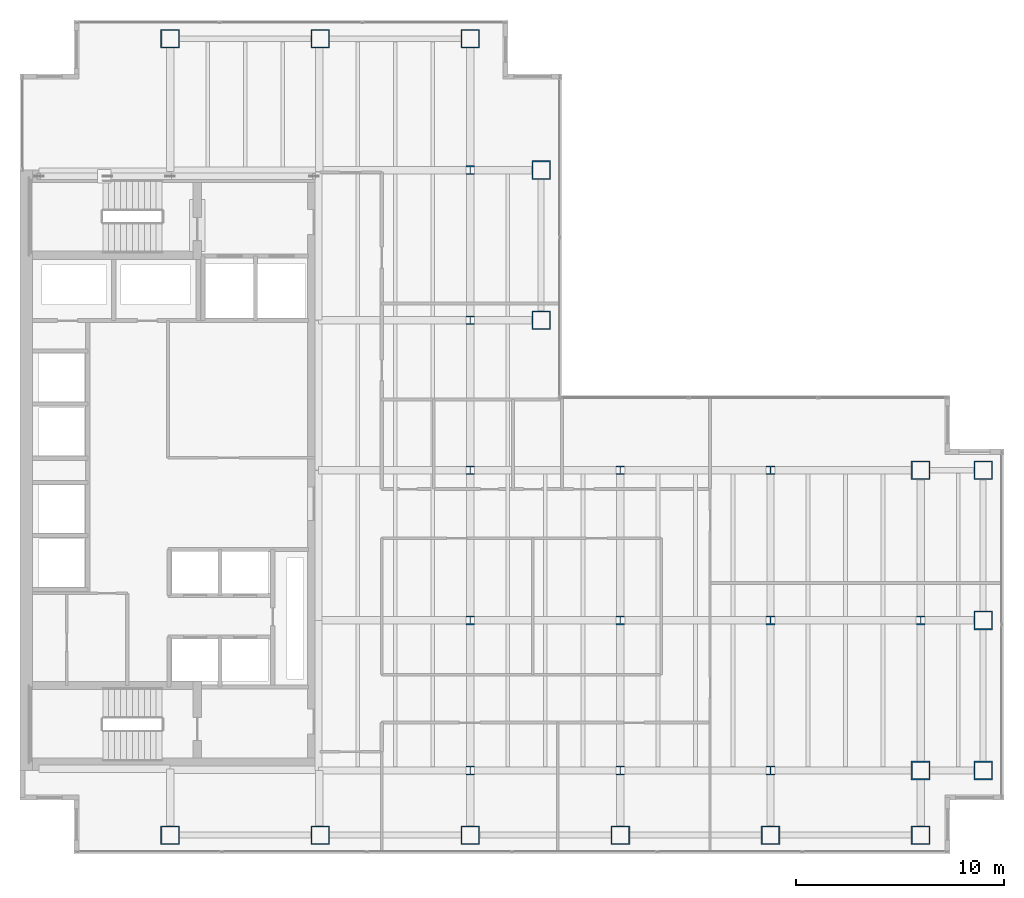
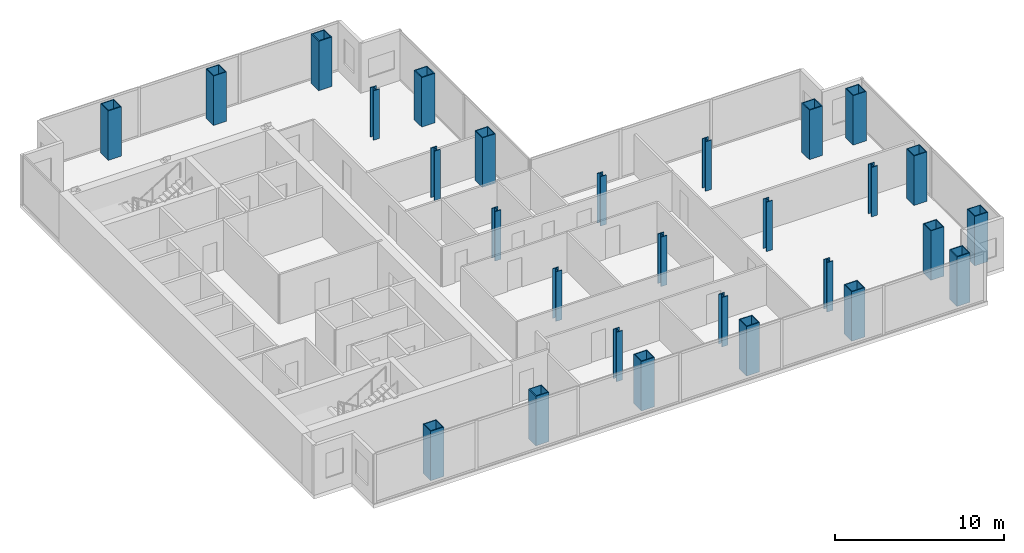
# One storey, part 1 of 23: 28 columns.
"""IFC4 building model written with IfcOpenShell, lengths in metres."""

from ifc_helpers import new_model, si_unit, direction, frame, origin, origin_2d, place, context, subcontext, project, spatial, hollow_rectangle, i_section, extrude, material, material_profile, profile_set, type_object, element, save


model = new_model("IFC4")

# Units and contexts
model_context = context("Model", 3, precision=1e-05, world=origin(), true_north=direction((0.0, 1.0)))
body_context = subcontext(model_context, "Body", "Model", "MODEL_VIEW")
ifc_project = project(units=[si_unit("LENGTHUNIT", "METRE"), si_unit("AREAUNIT", "SQUARE_METRE"), si_unit("VOLUMEUNIT", "CUBIC_METRE"), si_unit("PLANEANGLEUNIT", "RADIAN"), si_unit("MASSUNIT", "GRAM", prefix="KILO")], contexts=[model_context])

# Site, building, storey
site_placement = place(None, origin())
site = spatial("IfcSite", under=ifc_project, at=site_placement, CompositionType="ELEMENT")
building_placement = place(site_placement, origin())
building = spatial("IfcBuilding", under=site, at=building_placement, Name="Cobrela Telecom Tower", CompositionType="ELEMENT")
storey_placement = place(building_placement, frame((0.0, 0.0, 144.550048828125)))
storey = spatial("IfcBuildingStorey", under=building, at=storey_placement, Name="L36", CompositionType="ELEMENT", Elevation=144.550048828125)

# Columns
ifc_material_1 = material(Name="Steel ASTM A992 Grade 50", Category="steel")
ifc_material_profile_1 = material_profile(ifc_material_1, i_section(OverallWidth=0.408935546875, OverallDepth=0.424072265625, WebThickness=0.03271484375, FlangeThickness=0.052490234375, FilletRadius=0.01806640625, at=origin_2d()), Name="W14X283")
ifc_profile_set_1 = profile_set([ifc_material_profile_1], Name="Steel ASTM A992 Grade 50")
column_type_1 = type_object("IfcColumnType", Name="COL-INT-05", PredefinedType="COLUMN", material=ifc_profile_set_1)
for number, where, z_axis, x_axis, name in (
    (1, (21.60009765625, 7.199951171875, 0.0), (0.0, 0.0, 1.0), (1.0, 0.0, 0.0), "L36 Interior Column 06"),
    (2, (21.60009765625, 14.39990234375, 0.0), (0.0, 0.0, 1.0), (1.0, 0.0, 0.0), "L36 Interior Column 07"),
    (3, (21.60009765625, 21.60009765625, 0.0), (0.0, 0.0, 1.0), (1.0, 0.0, 0.0), "L36 Interior Column 08"),
    (4, (21.60009765625, 28.800048828125, 0.0), (0.0, 0.0, 1.0), (1.0, 0.0, 0.0), "L36 Interior Column 09"),
    (5, (21.60009765625, 36.0, 0.0), (0.0, 0.0, 1.0), (1.0, 0.0, 0.0), "L36 Interior Column 10"),
    (6, (28.800048828125, 7.199951171875, 0.0), (0.0, 0.0, 1.0), (1.0, 0.0, 0.0), "L36 Interior Column 15"),
    (7, (28.800048828125, 14.39990234375, 0.0), (0.0, 0.0, 1.0), (1.0, 0.0, 0.0), "L36 Interior Column 16"),
    (8, (28.800048828125, 21.60009765625, 0.0), (0.0, 0.0, 1.0), (1.0, 0.0, 0.0), "L36 Interior Column 17"),
    (9, (36.0, 7.199951171875, 0.0), (0.0, 0.0, 1.0), (1.0, 0.0, 0.0), "L36 Interior Column 19"),
    (10, (36.0, 14.39990234375, 0.0), (0.0, 0.0, 1.0), (1.0, 0.0, 0.0), "L36 Interior Column 20"),
    (11, (36.0, 21.60009765625, 0.0), (0.0, 0.0, 1.0), (1.0, 0.0, 0.0), "L36 Interior Column 21"),
    (12, (43.199951171875, 14.39990234375, 0.0), (0.0, 0.0, 1.0), (1.0, 0.0, 0.0), "L36 Interior Column 24"),
):
    element("IfcColumn", number, at=place(storey_placement, frame(where, z_axis=z_axis, x_axis=x_axis)), inside=storey, type_object=column_type_1, Name=name, PredefinedType="COLUMN", context=body_context, shape_type="SweptSolid", body=[
        extrude(i_section(OverallWidth=0.408935546875, OverallDepth=0.424072265625, WebThickness=0.03271484375, FlangeThickness=0.052490234375, FilletRadius=0.01806640625, at=origin_2d()), origin(), (0.0, 0.0, 1.0), 3.579833984375),
    ])
ifc_material_2 = material(Name="Steel ASTM A572 Grade 50", Category="steel")
ifc_material_profile_2 = material_profile(ifc_material_2, hollow_rectangle(XDim=0.89990234375, YDim=0.89990234375, WallThickness=0.054931640625, at=origin_2d()), Name="BOX 900x900x55")
ifc_profile_set_2 = profile_set([ifc_material_profile_2], Name="Steel ASTM A572 Grade 50")
column_type_2 = type_object("IfcColumnType", Name="COL-MEGA-05", PredefinedType="COLUMN", material=ifc_profile_set_2)
for number, where, z_axis, x_axis, name in (
    (13, (7.199951171875, 4.10009765625, 0.0), (0.0, 0.0, 1.0), (1.0, 0.0, 0.0), "L36 Perimeter Mega-Column 01"),
    (14, (7.199951171875, 42.300048828125, 0.0), (0.0, 0.0, 1.0), (1.0, 0.0, 0.0), "L36 Perimeter Mega-Column 02"),
    (15, (14.39990234375, 4.10009765625, 0.0), (0.0, 0.0, 1.0), (1.0, 0.0, 0.0), "L36 Perimeter Mega-Column 03"),
    (16, (14.39990234375, 42.300048828125, 0.0), (0.0, 0.0, 1.0), (1.0, 0.0, 0.0), "L36 Perimeter Mega-Column 04"),
    (17, (21.60009765625, 4.10009765625, 0.0), (0.0, 0.0, 1.0), (1.0, 0.0, 0.0), "L36 Perimeter Mega-Column 05"),
    (18, (21.60009765625, 42.300048828125, 0.0), (0.0, 0.0, 1.0), (1.0, 0.0, 0.0), "L36 Perimeter Mega-Column 11"),
    (19, (25.0, 28.800048828125, 0.0), (0.0, 0.0, 1.0), (1.0, 0.0, 0.0), "L36 Perimeter Mega-Column 12"),
    (20, (25.0, 36.0, 0.0), (0.0, 0.0, 1.0), (1.0, 0.0, 0.0), "L36 Perimeter Mega-Column 13"),
    (21, (28.800048828125, 4.10009765625, 0.0), (0.0, 0.0, 1.0), (1.0, 0.0, 0.0), "L36 Perimeter Mega-Column 14"),
    (22, (36.0, 4.10009765625, 0.0), (0.0, 0.0, 1.0), (1.0, 0.0, 0.0), "L36 Perimeter Mega-Column 18"),
    (23, (43.199951171875, 4.10009765625, 0.0), (0.0, 0.0, 1.0), (1.0, 0.0, 0.0), "L36 Perimeter Mega-Column 22"),
    (24, (43.199951171875, 7.199951171875, 0.0), (0.0, 0.0, 1.0), (1.0, 0.0, 0.0), "L36 Perimeter Mega-Column 23"),
    (25, (43.199951171875, 21.60009765625, 0.0), (0.0, 0.0, 1.0), (1.0, 0.0, 0.0), "L36 Perimeter Mega-Column 25"),
    (26, (46.199951171875, 7.199951171875, 0.0), (0.0, 0.0, 1.0), (1.0, 0.0, 0.0), "L36 Perimeter Mega-Column 26"),
    (27, (46.199951171875, 14.39990234375, 0.0), (0.0, 0.0, 1.0), (1.0, 0.0, 0.0), "L36 Perimeter Mega-Column 27"),
    (28, (46.199951171875, 21.60009765625, 0.0), (0.0, 0.0, 1.0), (1.0, 0.0, 0.0), "L36 Perimeter Mega-Column 28"),
):
    element("IfcColumn", number, at=place(storey_placement, frame(where, z_axis=z_axis, x_axis=x_axis)), inside=storey, type_object=column_type_2, Name=name, PredefinedType="COLUMN", context=body_context, shape_type="SweptSolid", body=[
        extrude(hollow_rectangle(XDim=0.89990234375, YDim=0.89990234375, WallThickness=0.054931640625, at=origin_2d()), origin(), (0.0, 0.0, 1.0), 3.579833984375),
    ])

save(model, "model.ifc")
